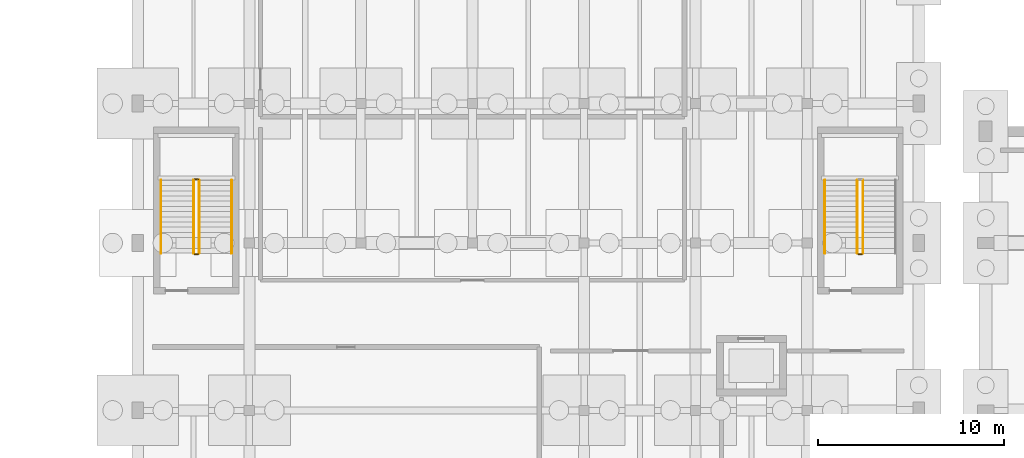
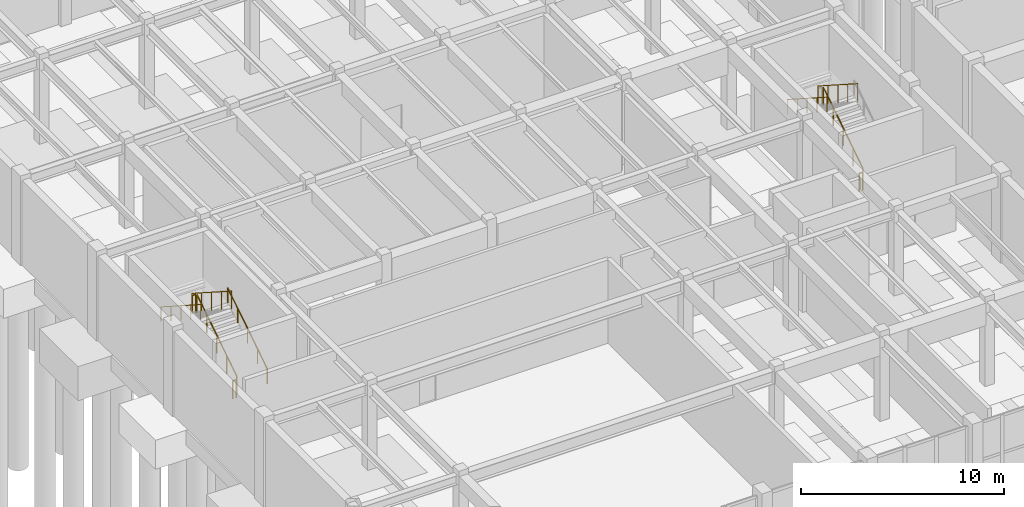
# One storey, part 65 of 69: 10 railings.
"""IFC4 building model written with IfcOpenShell, lengths in metres."""

from ifc_helpers import new_model, si_unit, direction, frame, origin, origin_2d, place, context, subcontext, project, spatial, circle, extrude, material, type_object, element, save


model = new_model("IFC4")

# Units and contexts
model_context = context("Model", 3, precision=1e-05, world=origin(), true_north=direction((0.0, 1.0)))
body_context = subcontext(model_context, "Body", "Model", "MODEL_VIEW")
ifc_project = project(units=[si_unit("LENGTHUNIT", "METRE"), si_unit("AREAUNIT", "SQUARE_METRE"), si_unit("VOLUMEUNIT", "CUBIC_METRE"), si_unit("PLANEANGLEUNIT", "RADIAN"), si_unit("MASSUNIT", "GRAM", prefix="KILO")], contexts=[model_context])

# Site, building, storey
site_placement = place(None, origin())
site = spatial("IfcSite", under=ifc_project, at=site_placement, CompositionType="ELEMENT")
building_placement = place(site_placement, origin())
building = spatial("IfcBuilding", under=site, at=building_placement, Name="Vaelkrest Opera House", CompositionType="ELEMENT")
storey_placement = place(building_placement, frame((0.0, 0.0, -5.39990234375)))
storey = spatial("IfcBuildingStorey", under=building, at=storey_placement, Name="B1", CompositionType="ELEMENT", Elevation=-5.39990234375)

# Railings
ifc_material = material(Name="Dark bronze anodized aluminium", Category="aluminium")
railing_type_1 = type_object("IfcRailingType", Name="GR02", PredefinedType="GUARDRAIL", material=ifc_material)
railing_1_placement = place(storey_placement, frame((-72.300048828125, 9.64990234375, 0.179931640625)))
element("IfcRailing", 1, at=railing_1_placement, inside=storey, type_object=railing_type_1, Name="B1 ST07 stair guard 1", PredefinedType="GUARDRAIL", context=body_context, shape_type="SweptSolid", body=[
    extrude(circle(Radius=0.02392578125, at=origin_2d()), frame((0.0, 0.0, 1.076171875), z_axis=(0.0, 0.841186985886, 0.540744352514), x_axis=(-1.0, 0.0, 0.0)), (0.0, 0.0, 1.0), 4.660400390625),
    extrude(circle(Radius=0.02099609375, at=origin_2d()), origin(), (0.0, 0.0, 1.0), 1.052001953125),
    extrude(circle(Radius=0.02099609375, at=origin_2d()), frame((0.0, 0.97998046875, 0.6298828125)), (0.0, 0.0, 1.0), 1.052001953125),
    extrude(circle(Radius=0.02099609375, at=origin_2d()), frame((0.0, 1.9599609375, 1.260009765625)), (0.0, 0.0, 1.0), 1.052001953125),
    extrude(circle(Radius=0.02099609375, at=origin_2d()), frame((0.0, 2.940185546875, 1.89013671875)), (0.0, 0.0, 1.0), 1.052001953125),
    extrude(circle(Radius=0.02099609375, at=origin_2d()), frame((0.0, 3.920166015625, 2.52001953125)), (0.0, 0.0, 1.0), 1.052001953125),
])
railing_2_placement = place(storey_placement, frame((-72.35009765625, 13.6201171875, 2.699951171875)))
element("IfcRailing", 2, at=railing_2_placement, inside=storey, type_object=railing_type_1, Name="B1 ST07 stair guard 2", PredefinedType="GUARDRAIL", context=body_context, shape_type="SweptSolid", body=[
    extrude(circle(Radius=0.02392578125, at=origin_2d()), frame((0.0, 0.0, 1.076171875), z_axis=(-1.0, 0.0, 0.0), x_axis=(0.0, -1.0, 0.0)), (0.0, 0.0, 1.0), 0.199951171875),
    extrude(circle(Radius=0.02099609375, at=origin_2d()), origin(), (0.0, 0.0, 1.0), 1.052001953125),
    extrude(circle(Radius=0.02099609375, at=origin_2d()), frame((-0.199951171875, 0.0, 0.0)), (0.0, 0.0, 1.0), 1.052001953125),
])
railing_3_placement = place(storey_placement, frame((-72.60009765625, 13.570068359375, 2.8798828125)))
element("IfcRailing", 3, at=railing_3_placement, inside=storey, type_object=railing_type_1, Name="B1 ST07 stair guard 3", PredefinedType="GUARDRAIL", context=body_context, shape_type="SweptSolid", body=[
    extrude(circle(Radius=0.02392578125, at=origin_2d()), frame((0.0, 0.0, 1.076171875), z_axis=(0.0, -0.841186985886, 0.540744352514), x_axis=(1.0, 0.0, 0.0)), (0.0, 0.0, 1.0), 4.660400390625),
    extrude(circle(Radius=0.02099609375, at=origin_2d()), origin(), (0.0, 0.0, 1.0), 1.052001953125),
    extrude(circle(Radius=0.02099609375, at=origin_2d()), frame((0.0, -0.97998046875, 0.6298828125)), (0.0, 0.0, 1.0), 1.052001953125),
    extrude(circle(Radius=0.02099609375, at=origin_2d()), frame((0.0, -1.9599609375, 1.260009765625)), (0.0, 0.0, 1.0), 1.052001953125),
    extrude(circle(Radius=0.02099609375, at=origin_2d()), frame((0.0, -2.940185546875, 1.89013671875)), (0.0, 0.0, 1.0), 1.052001953125),
    extrude(circle(Radius=0.02099609375, at=origin_2d()), frame((0.0, -3.920166015625, 2.52001953125)), (0.0, 0.0, 1.0), 1.052001953125),
])
railing_4_placement = place(storey_placement, frame((-72.35009765625, 9.60009765625, 0.0)))
element("IfcRailing", 4, at=railing_4_placement, inside=storey, type_object=railing_type_1, Name="B1 ST07 stair guard 4", PredefinedType="GUARDRAIL", context=body_context, shape_type="SweptSolid", body=[
    extrude(circle(Radius=0.02392578125, at=origin_2d()), frame((0.0, 0.0, 1.076171875), z_axis=(-1.0, 0.0, 0.0), x_axis=(0.0, -1.0, 0.0)), (0.0, 0.0, 1.0), 0.199951171875),
    extrude(circle(Radius=0.02099609375, at=origin_2d()), origin(), (0.0, 0.0, 1.0), 1.052001953125),
    extrude(circle(Radius=0.02099609375, at=origin_2d()), frame((-0.199951171875, 0.0, 0.0)), (0.0, 0.0, 1.0), 1.052001953125),
])
railing_5_placement = place(storey_placement, frame((-36.60009765625, 9.64990234375, 0.179931640625)))
element("IfcRailing", 5, at=railing_5_placement, inside=storey, type_object=railing_type_1, Name="B1 ST08 stair guard 1", PredefinedType="GUARDRAIL", context=body_context, shape_type="SweptSolid", body=[
    extrude(circle(Radius=0.02392578125, at=origin_2d()), frame((0.0, 0.0, 1.076171875), z_axis=(0.0, 0.841186985886, 0.540744352514), x_axis=(-1.0, 0.0, 0.0)), (0.0, 0.0, 1.0), 4.660400390625),
    extrude(circle(Radius=0.02099609375, at=origin_2d()), origin(), (0.0, 0.0, 1.0), 1.052001953125),
    extrude(circle(Radius=0.02099609375, at=origin_2d()), frame((0.0, 0.97998046875, 0.6298828125)), (0.0, 0.0, 1.0), 1.052001953125),
    extrude(circle(Radius=0.02099609375, at=origin_2d()), frame((0.0, 1.9599609375, 1.260009765625)), (0.0, 0.0, 1.0), 1.052001953125),
    extrude(circle(Radius=0.02099609375, at=origin_2d()), frame((0.0, 2.940185546875, 1.89013671875)), (0.0, 0.0, 1.0), 1.052001953125),
    extrude(circle(Radius=0.02099609375, at=origin_2d()), frame((0.0, 3.920166015625, 2.52001953125)), (0.0, 0.0, 1.0), 1.052001953125),
])
railing_6_placement = place(storey_placement, frame((-36.89990234375, 13.570068359375, 2.8798828125)))
element("IfcRailing", 6, at=railing_6_placement, inside=storey, type_object=railing_type_1, Name="B1 ST08 stair guard 3", PredefinedType="GUARDRAIL", context=body_context, shape_type="SweptSolid", body=[
    extrude(circle(Radius=0.02392578125, at=origin_2d()), frame((0.0, 0.0, 1.076171875), z_axis=(0.0, -0.841186985886, 0.540744352514), x_axis=(1.0, 0.0, 0.0)), (0.0, 0.0, 1.0), 4.660400390625),
    extrude(circle(Radius=0.02099609375, at=origin_2d()), origin(), (0.0, 0.0, 1.0), 1.052001953125),
    extrude(circle(Radius=0.02099609375, at=origin_2d()), frame((0.0, -0.97998046875, 0.6298828125)), (0.0, 0.0, 1.0), 1.052001953125),
    extrude(circle(Radius=0.02099609375, at=origin_2d()), frame((0.0, -1.9599609375, 1.260009765625)), (0.0, 0.0, 1.0), 1.052001953125),
    extrude(circle(Radius=0.02099609375, at=origin_2d()), frame((0.0, -2.940185546875, 1.89013671875)), (0.0, 0.0, 1.0), 1.052001953125),
    extrude(circle(Radius=0.02099609375, at=origin_2d()), frame((0.0, -3.920166015625, 2.52001953125)), (0.0, 0.0, 1.0), 1.052001953125),
])
railing_7_placement = place(storey_placement, frame((-36.64990234375, 9.60009765625, 0.0)))
element("IfcRailing", 7, at=railing_7_placement, inside=storey, type_object=railing_type_1, Name="B1 ST08 stair guard 4", PredefinedType="GUARDRAIL", context=body_context, shape_type="SweptSolid", body=[
    extrude(circle(Radius=0.02392578125, at=origin_2d()), frame((0.0, 0.0, 1.076171875), z_axis=(-1.0, 0.0, 0.0), x_axis=(0.0, -1.0, 0.0)), (0.0, 0.0, 1.0), 0.2001953125),
    extrude(circle(Radius=0.02099609375, at=origin_2d()), origin(), (0.0, 0.0, 1.0), 1.052001953125),
    extrude(circle(Radius=0.02099609375, at=origin_2d()), frame((-0.2001953125, 0.0, 0.0)), (0.0, 0.0, 1.0), 1.052001953125),
])
railing_type_2 = type_object("IfcRailingType", Name="HR02", PredefinedType="HANDRAIL", material=ifc_material)
railing_8_placement = place(storey_placement, frame((-70.550048828125, 9.64990234375, 0.179931640625)))
element("IfcRailing", 8, at=railing_8_placement, inside=storey, type_object=railing_type_2, Name="B1 ST07 stair handrail 1", PredefinedType="HANDRAIL", context=body_context, shape_type="SweptSolid", body=[
    extrude(circle(Radius=0.02392578125, at=origin_2d()), frame((0.0, 0.0, 0.8759765625), z_axis=(0.0, 0.841186985886, 0.540744352514), x_axis=(-1.0, 0.0, 0.0)), (0.0, 0.0, 1.0), 4.660400390625),
    extrude(circle(Radius=0.02099609375, at=origin_2d()), origin(), (0.0, 0.0, 1.0), 0.851806640625),
    extrude(circle(Radius=0.02099609375, at=origin_2d()), frame((0.0, 0.97998046875, 0.6298828125)), (0.0, 0.0, 1.0), 0.851806640625),
    extrude(circle(Radius=0.02099609375, at=origin_2d()), frame((0.0, 1.9599609375, 1.260009765625)), (0.0, 0.0, 1.0), 0.851806640625),
    extrude(circle(Radius=0.02099609375, at=origin_2d()), frame((0.0, 2.940185546875, 1.89013671875)), (0.0, 0.0, 1.0), 0.851806640625),
    extrude(circle(Radius=0.02099609375, at=origin_2d()), frame((0.0, 3.920166015625, 2.52001953125)), (0.0, 0.0, 1.0), 0.851806640625),
])
for number, where, name in (
    (9, (-74.35009765625, 13.570068359375, 2.8798828125), "B1 ST07 stair handrail 2"),
    (10, (-38.64990234375, 13.570068359375, 2.8798828125), "B1 ST08 stair handrail 2"),
):
    element("IfcRailing", number, at=place(storey_placement, frame(where)), inside=storey, type_object=railing_type_2, Name=name, PredefinedType="HANDRAIL", context=body_context, shape_type="SweptSolid", body=[
        extrude(circle(Radius=0.02392578125, at=origin_2d()), frame((0.0, 0.0, 0.8759765625), z_axis=(0.0, -0.841186985886, 0.540744352514), x_axis=(1.0, 0.0, 0.0)), (0.0, 0.0, 1.0), 4.660400390625),
        extrude(circle(Radius=0.02099609375, at=origin_2d()), origin(), (0.0, 0.0, 1.0), 0.851806640625),
        extrude(circle(Radius=0.02099609375, at=origin_2d()), frame((0.0, -0.97998046875, 0.6298828125)), (0.0, 0.0, 1.0), 0.851806640625),
        extrude(circle(Radius=0.02099609375, at=origin_2d()), frame((0.0, -1.9599609375, 1.260009765625)), (0.0, 0.0, 1.0), 0.851806640625),
        extrude(circle(Radius=0.02099609375, at=origin_2d()), frame((0.0, -2.940185546875, 1.89013671875)), (0.0, 0.0, 1.0), 0.851806640625),
        extrude(circle(Radius=0.02099609375, at=origin_2d()), frame((0.0, -3.920166015625, 2.52001953125)), (0.0, 0.0, 1.0), 0.851806640625),
    ])

save(model, "model.ifc")
